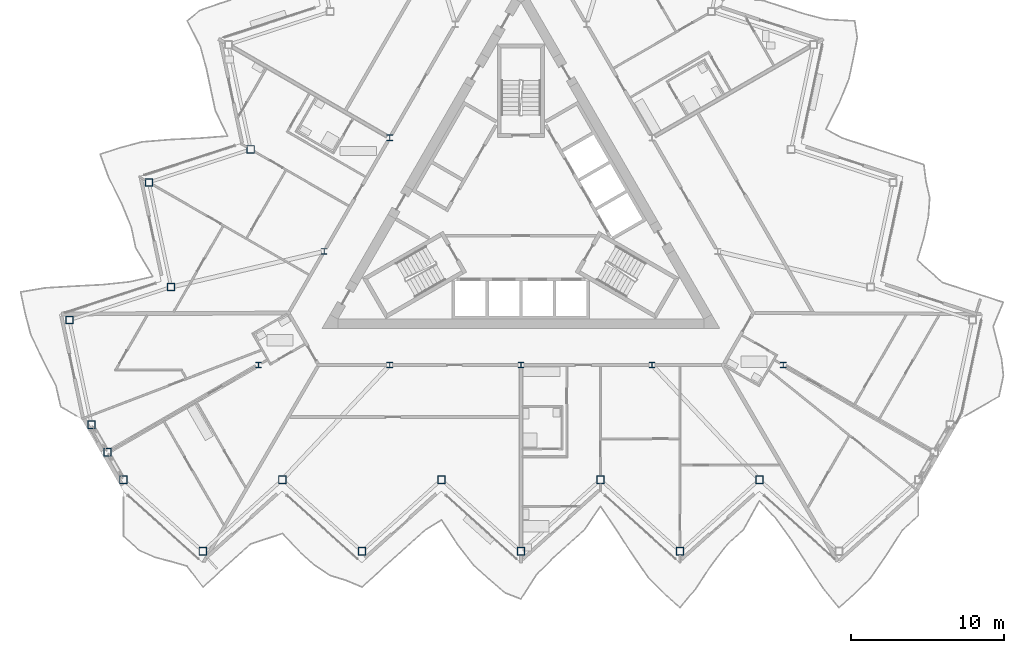
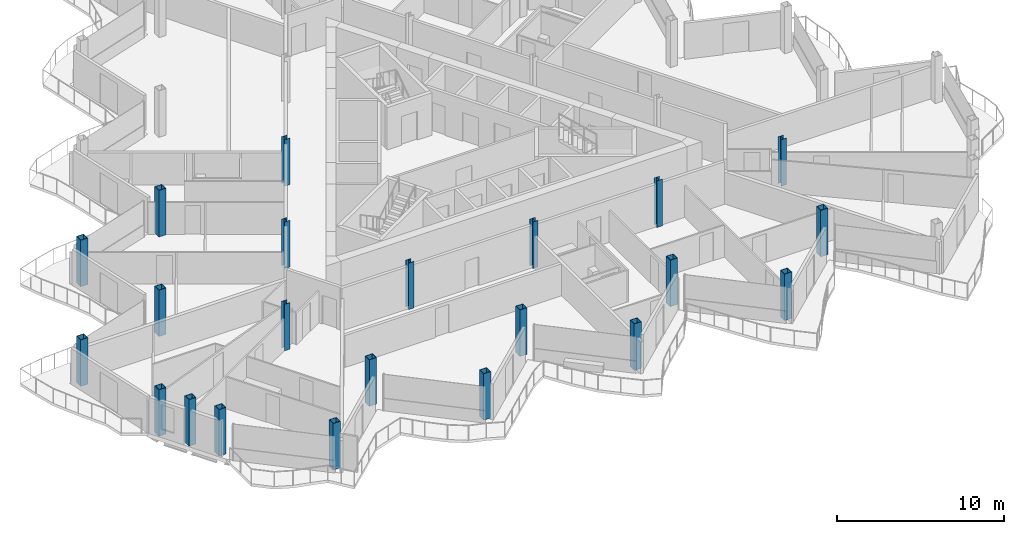
# One storey, part 1 of 26: 22 columns.
"""IFC4 building model written with IfcOpenShell, lengths in metres."""

from ifc_helpers import new_model, si_unit, direction, frame, origin, origin_2d, place, context, subcontext, project, spatial, hollow_rectangle, i_section, extrude, material, material_profile, profile_set, type_object, element, save


model = new_model("IFC4")

# Units and contexts
model_context = context("Model", 3, precision=1e-05, world=origin(), true_north=direction((0.0, 1.0)))
body_context = subcontext(model_context, "Body", "Model", "MODEL_VIEW")
ifc_project = project(units=[si_unit("LENGTHUNIT", "METRE"), si_unit("AREAUNIT", "SQUARE_METRE"), si_unit("VOLUMEUNIT", "CUBIC_METRE"), si_unit("PLANEANGLEUNIT", "RADIAN"), si_unit("MASSUNIT", "GRAM", prefix="KILO")], contexts=[model_context])

# Site, building, storey
site_placement = place(None, origin())
site = spatial("IfcSite", under=ifc_project, at=site_placement, CompositionType="ELEMENT")
building_placement = place(site_placement, origin())
building = spatial("IfcBuilding", under=site, at=building_placement, Name="Cormorant Prow Tower", CompositionType="ELEMENT")
storey_placement = place(building_placement, frame((0.0, 0.0, 367.800048828125)))
storey = spatial("IfcBuildingStorey", under=building, at=storey_placement, Name="L82", CompositionType="ELEMENT", Elevation=367.800048828125)

# Columns
ifc_material_1 = material(Name="Structural steel ASTM A572 Gr 50", Category="steel")
ifc_material_profile_1 = material_profile(ifc_material_1, hollow_rectangle(XDim=0.5, YDim=0.5, WallThickness=0.030029296875, at=origin_2d()), Name="Box 500x500x30")
ifc_profile_set_1 = profile_set([ifc_material_profile_1], Name="Structural steel ASTM A572 Gr 50")
column_type_1 = type_object("IfcColumnType", Name="Perimeter box column 500x500x30", PredefinedType="COLUMN", material=ifc_profile_set_1)
for number, where, z_axis, x_axis, name in (
    (1, (-26.0, -17.40576171875, 0.0), (0.0, 0.0, 1.0), (1.0, 0.0, 0.0), "Perimeter column C7 at S00 L82"),
    (2, (-20.800048828125, -22.087890625, 0.0), (0.0, 0.0, 1.0), (1.0, 0.0, 0.0), "Perimeter column C7 at S01 L82"),
    (3, (-15.60009765625, -17.40576171875, 0.0), (0.0, 0.0, 1.0), (1.0, 0.0, 0.0), "Perimeter column C7 at S02 L82"),
    (4, (-10.39990234375, -22.087890625, 0.0), (0.0, 0.0, 1.0), (1.0, 0.0, 0.0), "Perimeter column C7 at S03 L82"),
    (5, (-5.199951171875, -17.40576171875, 0.0), (0.0, 0.0, 1.0), (1.0, 0.0, 0.0), "Perimeter column C7 at S04 L82"),
    (6, (0.0, -22.087890625, 0.0), (0.0, 0.0, 1.0), (1.0, 0.0, 0.0), "Perimeter column C7 at S05 L82"),
    (7, (5.199951171875, -17.40576171875, 0.0), (0.0, 0.0, 1.0), (1.0, 0.0, 0.0), "Perimeter column C7 at S06 L82"),
    (8, (10.39990234375, -22.087890625, 0.0), (0.0, 0.0, 1.0), (1.0, 0.0, 0.0), "Perimeter column C7 at S07 L82"),
    (9, (15.60009765625, -17.40576171875, 0.0), (0.0, 0.0, 1.0), (1.0, 0.0, 0.0), "Perimeter column C7 at S08 L82"),
    (10, (-17.673828125, 4.199462890625, 0.0), (0.0, 0.0, 1.0), (1.0, 0.0, 0.0), "Perimeter column C7 at WNW06 L82"),
    (11, (-24.32861328125, 2.037353515625, 0.0), (0.0, 0.0, 1.0), (1.0, 0.0, 0.0), "Perimeter column C7 at WNW07 L82"),
    (12, (-22.873779296875, -4.80712890625, 0.0), (0.0, 0.0, 1.0), (1.0, 0.0, 0.0), "Perimeter column C7 at WNW08 L82"),
    (13, (-29.528564453125, -6.969482421875, 0.0), (0.0, 0.0, 1.0), (1.0, 0.0, 0.0), "Perimeter column C7 at WNW09 L82"),
    (14, (-28.07373046875, -13.813720703125, 0.0), (0.0, 0.0, 1.0), (1.0, 0.0, 0.0), "Perimeter column C7 at WSW00 L82"),
    (15, (-27.036865234375, -15.60986328125, 0.0), (0.0, 0.0, 1.0), (1.0, 0.0, 0.0), "Perimeter column C7 at WSW01 L82"),
):
    element("IfcColumn", number, at=place(storey_placement, frame(where, z_axis=z_axis, x_axis=x_axis)), inside=storey, type_object=column_type_1, Name=name, PredefinedType="COLUMN", context=body_context, shape_type="SweptSolid", body=[
        extrude(hollow_rectangle(XDim=0.5, YDim=0.5, WallThickness=0.030029296875, at=origin_2d()), origin(), (0.0, 0.0, 1.0), 3.39990234375),
    ])
ifc_material_2 = material(Name="Structural steel ASTM A992 Gr 50", Category="steel")
ifc_material_profile_2 = material_profile(ifc_material_2, i_section(OverallWidth=0.3740234375, OverallDepth=0.372314453125, WebThickness=0.016357421875, FlangeThickness=0.026123046875, at=origin_2d()), Name="W14x132")
ifc_profile_set_2 = profile_set([ifc_material_profile_2], Name="Structural steel ASTM A992 Gr 50")
column_type_2 = type_object("IfcColumnType", Name="Ring column W14x132", PredefinedType="COLUMN", material=ifc_profile_set_2)
for number, where, z_axis, x_axis, name in (
    (16, (-8.578369140625, 4.952880859375, 0.0), (0.0, 0.0, 1.0), (1.0, 0.0, 0.0), "Ring column 3 L82"),
    (17, (-12.86767578125, -2.476318359375, 0.0), (0.0, 0.0, 1.0), (1.0, 0.0, 0.0), "Ring column 4 L82"),
    (18, (-17.156982421875, -9.905517578125, 0.0), (0.0, 0.0, 1.0), (1.0, 0.0, 0.0), "Ring column 5 L82"),
    (19, (-8.578369140625, -9.905517578125, 0.0), (0.0, 0.0, 1.0), (1.0, 0.0, 0.0), "Ring column 6 L82"),
    (20, (0.0, -9.905517578125, 0.0), (0.0, 0.0, 1.0), (1.0, 0.0, 0.0), "Ring column 7 L82"),
    (21, (8.578369140625, -9.905517578125, 0.0), (0.0, 0.0, 1.0), (1.0, 0.0, 0.0), "Ring column 8 L82"),
    (22, (17.156982421875, -9.905517578125, 0.0), (0.0, 0.0, 1.0), (1.0, 0.0, 0.0), "Ring column 9 L82"),
):
    element("IfcColumn", number, at=place(storey_placement, frame(where, z_axis=z_axis, x_axis=x_axis)), inside=storey, type_object=column_type_2, Name=name, PredefinedType="COLUMN", context=body_context, shape_type="SweptSolid", body=[
        extrude(i_section(OverallWidth=0.3740234375, OverallDepth=0.372314453125, WebThickness=0.016357421875, FlangeThickness=0.026123046875, at=origin_2d()), origin(), (0.0, 0.0, 1.0), 3.39990234375),
    ])

save(model, "model.ifc")
